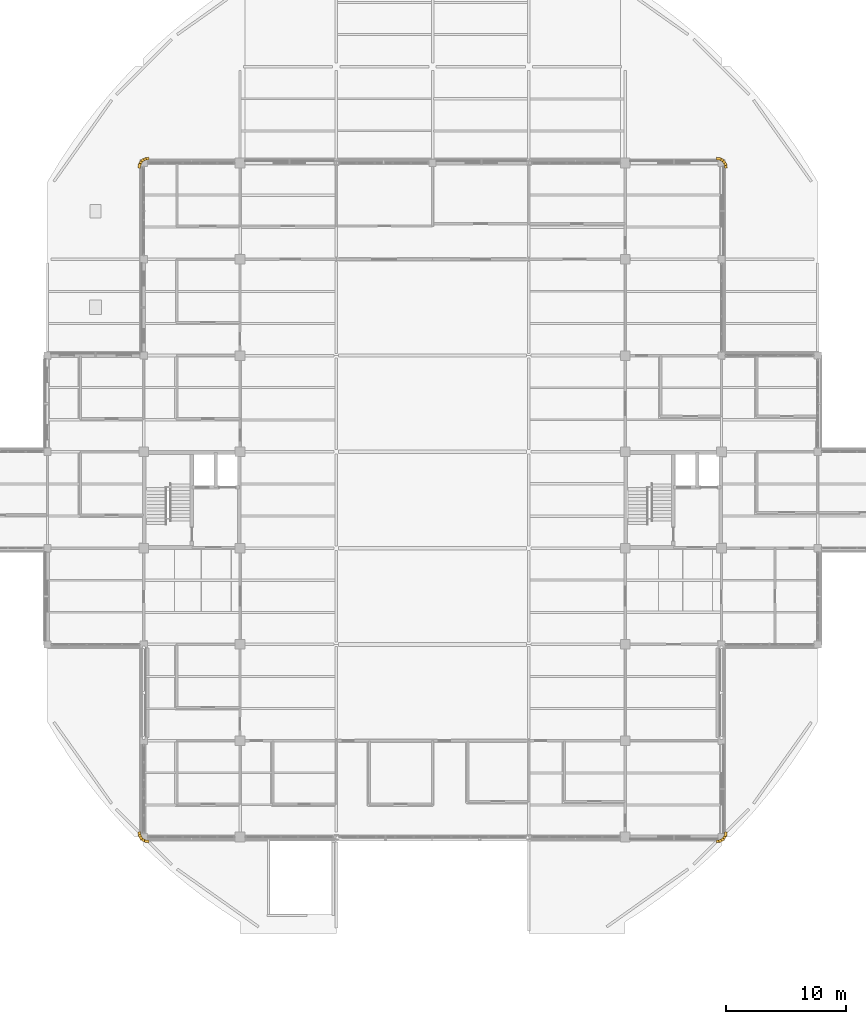
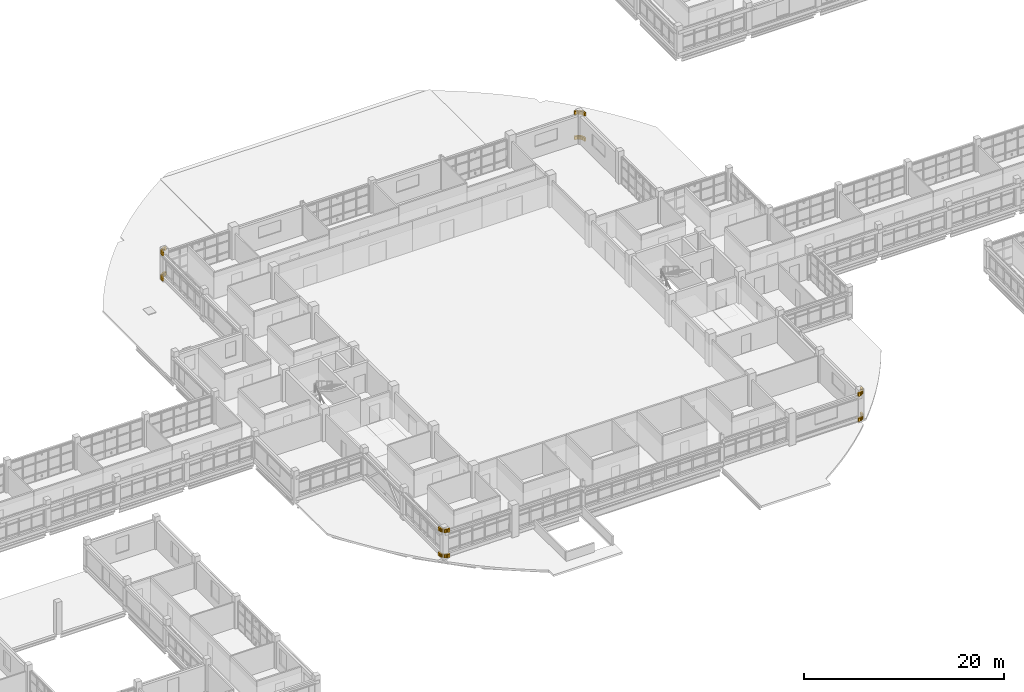
# One storey, part 126 of 126: 40 coverings.
"""IFC4 building model written with IfcOpenShell, lengths in metres."""

from ifc_helpers import new_model, si_unit, derived_unit, direction, frame, origin, origin_2d, place, context, subcontext, project, spatial, rectangle, extrude, material, layer, layer_set, type_object, element, save


model = new_model("IFC4")

# Units and contexts
model_context = context("Model", 3, precision=1e-05, world=origin(), true_north=direction((0.0, 1.0)))
body_context = subcontext(model_context, "Body", "Model", "MODEL_VIEW")
ifc_project = project(units=[si_unit("LENGTHUNIT", "METRE"), si_unit("AREAUNIT", "SQUARE_METRE"), si_unit("VOLUMEUNIT", "CUBIC_METRE"), si_unit("PLANEANGLEUNIT", "RADIAN"), si_unit("MASSUNIT", "GRAM", prefix="KILO"), derived_unit("THERMALTRANSMITTANCEUNIT", [(si_unit("MASSUNIT", "GRAM", prefix="KILO"), 1), (si_unit("TIMEUNIT", "SECOND"), -3), (si_unit("THERMODYNAMICTEMPERATUREUNIT", "KELVIN"), -1)])], contexts=[model_context])

# Site, building, storey
site_placement = place(None, origin())
site = spatial("IfcSite", under=ifc_project, at=site_placement, CompositionType="ELEMENT")
building_placement = place(site_placement, origin())
building = spatial("IfcBuilding", under=site, at=building_placement, Name="Veyamyaing Civic Hall", CompositionType="ELEMENT")
storey_placement = place(building_placement, frame((0.0, 0.0, 9.89990234375)))
storey = spatial("IfcBuildingStorey", under=building, at=storey_placement, Name="L02", CompositionType="ELEMENT", Elevation=9.89990234375)

# Coverings
ifc_material = material(Name="White powder-coated aluminium 6063-T6", Category="aluminium")
ifc_layer = layer(ifc_material, 0.2099609375, Name="White powder-coated aluminium 6063-T6")
ifc_layer_set = layer_set([ifc_layer], Name="White powder-coated aluminium 6063-T6")
covering_type = type_object("IfcCoveringType", Name="CL-03", PredefinedType="CLADDING", material=ifc_layer_set)
for number, where, z_axis, x_axis, name in (
    (1, (63.647705078125, 24.23876953125, 0.250244140625), (0.0, 0.0, 1.0), (0.15643446504, -0.987688340595, 0.0), "Upper main block rounded corner white ribbon CL-03 L02 SW.1.1"),
    (2, (63.647705078125, 24.23876953125, 3.3251953125), (0.0, 0.0, 1.0), (0.15643446504, -0.987688340595, 0.0), "Upper main block rounded corner white ribbon CL-03 L02 SW.1.2"),
    (3, (63.71630859375, 24.027099609375, 0.250244140625), (0.0, 0.0, 1.0), (0.45399049974, -0.891006524188, 0.0), "Upper main block rounded corner white ribbon CL-03 L02 SW.2.1"),
    (4, (63.71630859375, 24.027099609375, 3.3251953125), (0.0, 0.0, 1.0), (0.45399049974, -0.891006524188, 0.0), "Upper main block rounded corner white ribbon CL-03 L02 SW.2.2"),
    (5, (63.84716796875, 23.84716796875, 0.250244140625), (0.0, 0.0, 1.0), (0.707106781187, -0.707106781187, 0.0), "Upper main block rounded corner white ribbon CL-03 L02 SW.3.1"),
    (6, (63.84716796875, 23.84716796875, 3.3251953125), (0.0, 0.0, 1.0), (0.707106781187, -0.707106781187, 0.0), "Upper main block rounded corner white ribbon CL-03 L02 SW.3.2"),
    (7, (64.027099609375, 23.71630859375, 0.250244140625), (0.0, 0.0, 1.0), (0.891006524188, -0.45399049974, 0.0), "Upper main block rounded corner white ribbon CL-03 L02 SW.4.1"),
    (8, (64.027099609375, 23.71630859375, 3.3251953125), (0.0, 0.0, 1.0), (0.891006524188, -0.45399049974, 0.0), "Upper main block rounded corner white ribbon CL-03 L02 SW.4.2"),
    (9, (64.23876953125, 23.647705078125, 0.250244140625), (0.0, 0.0, 1.0), (0.987688340595, -0.15643446504, 0.0), "Upper main block rounded corner white ribbon CL-03 L02 SW.5.1"),
    (10, (64.23876953125, 23.647705078125, 3.3251953125), (0.0, 0.0, 1.0), (0.987688340595, -0.15643446504, 0.0), "Upper main block rounded corner white ribbon CL-03 L02 SW.5.2"),
    (11, (111.76123046875, 23.647705078125, 0.250244140625), (0.0, 0.0, 1.0), (0.987688340595, 0.15643446504, 0.0), "Upper main block rounded corner white ribbon CL-03 L02 SE.1.1"),
    (12, (111.76123046875, 23.647705078125, 3.3251953125), (0.0, 0.0, 1.0), (0.987688340595, 0.15643446504, 0.0), "Upper main block rounded corner white ribbon CL-03 L02 SE.1.2"),
    (13, (111.972900390625, 23.71630859375, 0.250244140625), (0.0, 0.0, 1.0), (0.891006524188, 0.45399049974, 0.0), "Upper main block rounded corner white ribbon CL-03 L02 SE.2.1"),
    (14, (111.972900390625, 23.71630859375, 3.3251953125), (0.0, 0.0, 1.0), (0.891006524188, 0.45399049974, 0.0), "Upper main block rounded corner white ribbon CL-03 L02 SE.2.2"),
    (15, (112.15283203125, 23.84716796875, 0.250244140625), (0.0, 0.0, 1.0), (0.707106781187, 0.707106781187, 0.0), "Upper main block rounded corner white ribbon CL-03 L02 SE.3.1"),
    (16, (112.15283203125, 23.84716796875, 3.3251953125), (0.0, 0.0, 1.0), (0.707106781187, 0.707106781187, 0.0), "Upper main block rounded corner white ribbon CL-03 L02 SE.3.2"),
    (17, (112.28369140625, 24.027099609375, 0.250244140625), (0.0, 0.0, 1.0), (0.45399049974, 0.891006524188, 0.0), "Upper main block rounded corner white ribbon CL-03 L02 SE.4.1"),
    (18, (112.28369140625, 24.027099609375, 3.3251953125), (0.0, 0.0, 1.0), (0.45399049974, 0.891006524188, 0.0), "Upper main block rounded corner white ribbon CL-03 L02 SE.4.2"),
    (19, (112.352294921875, 24.23876953125, 0.250244140625), (0.0, 0.0, 1.0), (0.15643446504, 0.987688340595, 0.0), "Upper main block rounded corner white ribbon CL-03 L02 SE.5.1"),
    (20, (112.352294921875, 24.23876953125, 3.3251953125), (0.0, 0.0, 1.0), (0.15643446504, 0.987688340595, 0.0), "Upper main block rounded corner white ribbon CL-03 L02 SE.5.2"),
    (21, (112.352294921875, 79.76123046875, 0.250244140625), (0.0, 0.0, 1.0), (-0.15643446504, 0.987688340595, 0.0), "Upper main block rounded corner white ribbon CL-03 L02 NE.1.1"),
    (22, (112.352294921875, 79.76123046875, 3.3251953125), (0.0, 0.0, 1.0), (-0.15643446504, 0.987688340595, 0.0), "Upper main block rounded corner white ribbon CL-03 L02 NE.1.2"),
    (23, (112.28369140625, 79.972900390625, 0.250244140625), (0.0, 0.0, 1.0), (-0.45399049974, 0.891006524188, 0.0), "Upper main block rounded corner white ribbon CL-03 L02 NE.2.1"),
    (24, (112.28369140625, 79.972900390625, 3.3251953125), (0.0, 0.0, 1.0), (-0.45399049974, 0.891006524188, 0.0), "Upper main block rounded corner white ribbon CL-03 L02 NE.2.2"),
    (25, (112.15283203125, 80.15283203125, 0.250244140625), (0.0, 0.0, 1.0), (-0.707106781187, 0.707106781187, 0.0), "Upper main block rounded corner white ribbon CL-03 L02 NE.3.1"),
    (26, (112.15283203125, 80.15283203125, 3.3251953125), (0.0, 0.0, 1.0), (-0.707106781187, 0.707106781187, 0.0), "Upper main block rounded corner white ribbon CL-03 L02 NE.3.2"),
    (27, (111.972900390625, 80.28369140625, 0.250244140625), (0.0, 0.0, 1.0), (-0.891006524188, 0.45399049974, 0.0), "Upper main block rounded corner white ribbon CL-03 L02 NE.4.1"),
    (28, (111.972900390625, 80.28369140625, 3.3251953125), (0.0, 0.0, 1.0), (-0.891006524188, 0.45399049974, 0.0), "Upper main block rounded corner white ribbon CL-03 L02 NE.4.2"),
    (29, (111.76123046875, 80.352294921875, 0.250244140625), (0.0, 0.0, 1.0), (-0.987688340595, 0.15643446504, 0.0), "Upper main block rounded corner white ribbon CL-03 L02 NE.5.1"),
    (30, (111.76123046875, 80.352294921875, 3.3251953125), (0.0, 0.0, 1.0), (-0.987688340595, 0.15643446504, 0.0), "Upper main block rounded corner white ribbon CL-03 L02 NE.5.2"),
    (31, (64.23876953125, 80.352294921875, 0.250244140625), (0.0, 0.0, 1.0), (-0.987688340595, -0.15643446504, 0.0), "Upper main block rounded corner white ribbon CL-03 L02 NW.1.1"),
    (32, (64.23876953125, 80.352294921875, 3.3251953125), (0.0, 0.0, 1.0), (-0.987688340595, -0.15643446504, 0.0), "Upper main block rounded corner white ribbon CL-03 L02 NW.1.2"),
    (33, (64.027099609375, 80.28369140625, 0.250244140625), (0.0, 0.0, 1.0), (-0.891006524188, -0.45399049974, 0.0), "Upper main block rounded corner white ribbon CL-03 L02 NW.2.1"),
    (34, (64.027099609375, 80.28369140625, 3.3251953125), (0.0, 0.0, 1.0), (-0.891006524188, -0.45399049974, 0.0), "Upper main block rounded corner white ribbon CL-03 L02 NW.2.2"),
    (35, (63.84716796875, 80.15283203125, 0.250244140625), (0.0, 0.0, 1.0), (-0.707106781187, -0.707106781187, 0.0), "Upper main block rounded corner white ribbon CL-03 L02 NW.3.1"),
    (36, (63.84716796875, 80.15283203125, 3.3251953125), (0.0, 0.0, 1.0), (-0.707106781187, -0.707106781187, 0.0), "Upper main block rounded corner white ribbon CL-03 L02 NW.3.2"),
    (37, (63.71630859375, 79.972900390625, 0.250244140625), (0.0, 0.0, 1.0), (-0.45399049974, -0.891006524188, 0.0), "Upper main block rounded corner white ribbon CL-03 L02 NW.4.1"),
    (38, (63.71630859375, 79.972900390625, 3.3251953125), (0.0, 0.0, 1.0), (-0.45399049974, -0.891006524188, 0.0), "Upper main block rounded corner white ribbon CL-03 L02 NW.4.2"),
    (39, (63.647705078125, 79.76123046875, 0.250244140625), (0.0, 0.0, 1.0), (-0.15643446504, -0.987688340595, 0.0), "Upper main block rounded corner white ribbon CL-03 L02 NW.5.1"),
    (40, (63.647705078125, 79.76123046875, 3.3251953125), (0.0, 0.0, 1.0), (-0.15643446504, -0.987688340595, 0.0), "Upper main block rounded corner white ribbon CL-03 L02 NW.5.2"),
):
    element("IfcCovering", number, at=place(storey_placement, frame(where, z_axis=z_axis, x_axis=x_axis)), inside=storey, type_object=covering_type, Name=name, PredefinedType="CLADDING", context=body_context, shape_type="SweptSolid", body=[
        extrude(rectangle(XDim=0.38525390625, YDim=0.2099609375, at=origin_2d()), origin(), (0.0, 0.0, 1.0), 0.39990234375),
    ])

save(model, "model.ifc")
